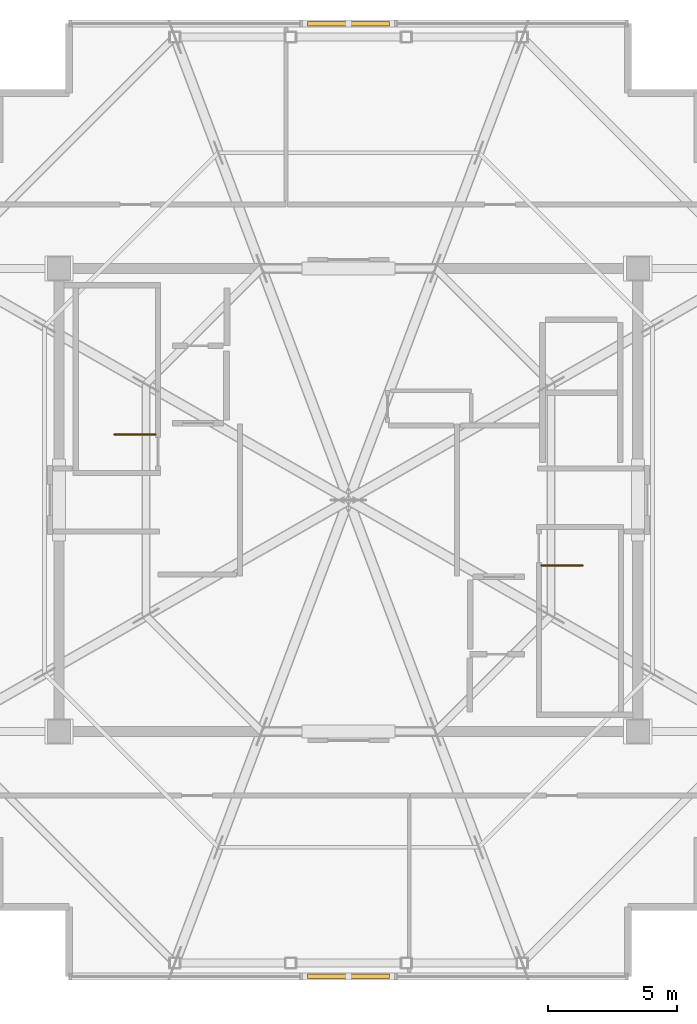
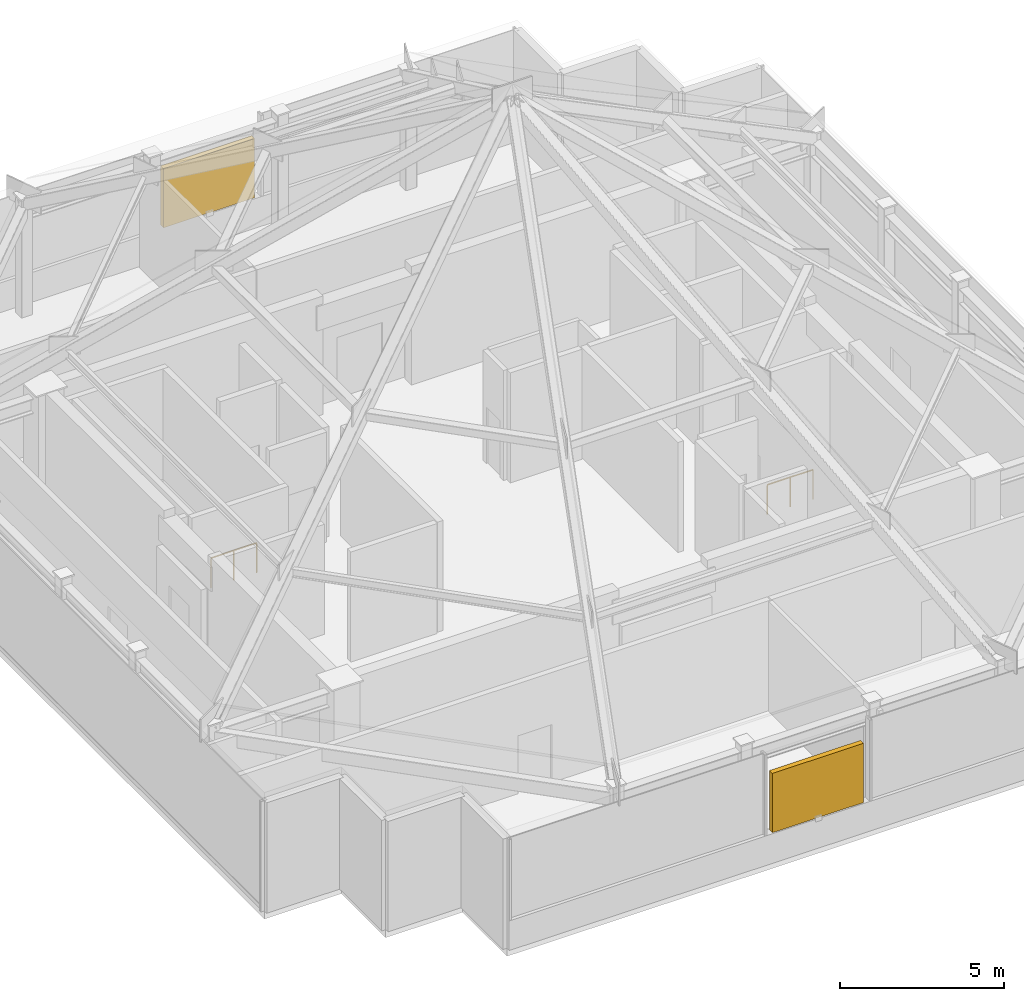
# One storey, part 17 of 17: 2 railings, 2 shading devices.
"""IFC4 building model written with IfcOpenShell, lengths in metres."""

from ifc_helpers import new_model, si_unit, direction, frame, origin, origin_2d, place, context, subcontext, project, spatial, rectangle, circle, extrude, source, transform, mapped, material, type_object, element, save


model = new_model("IFC4")

# Units and contexts
model_context = context("Model", 3, precision=1e-05, world=origin(), true_north=direction((0.0, 1.0)))
body_context = subcontext(model_context, "Body", "Model", "MODEL_VIEW")
ifc_project = project(units=[si_unit("LENGTHUNIT", "METRE"), si_unit("AREAUNIT", "SQUARE_METRE"), si_unit("VOLUMEUNIT", "CUBIC_METRE"), si_unit("PLANEANGLEUNIT", "RADIAN"), si_unit("MASSUNIT", "GRAM", prefix="KILO")], contexts=[model_context])

# Site, building, storey
site_placement = place(None, origin())
site = spatial("IfcSite", under=ifc_project, at=site_placement, CompositionType="ELEMENT")
building_placement = place(site_placement, origin())
building = spatial("IfcBuilding", under=site, at=building_placement, Name="Nefas-Gora Pilgrimage Tower", CompositionType="ELEMENT")
storey_placement = place(building_placement, frame((0.0, 0.0, 367.39990234375)))
storey = spatial("IfcBuildingStorey", under=building, at=storey_placement, Name="L92", CompositionType="ELEMENT", Elevation=367.39990234375)

# Railings
ifc_material_1 = material(Name="Painted galvanised steel", Category="steel")
railing_type = type_object("IfcRailingType", Name="RLG-STR-GUARD-1100", PredefinedType="GUARDRAIL", material=ifc_material_1)
railing_1_placement = place(storey_placement, frame((-7.5, 2.550048828125, 0.0)))
element("IfcRailing", 1, at=railing_1_placement, inside=storey, type_object=railing_type, Name="L92 ST-01 top well guard 1", PredefinedType="GUARDRAIL", context=body_context, shape_type="SweptSolid", body=[
    extrude(circle(Radius=0.02392578125, at=origin_2d()), frame((0.0, 0.0, 1.09619140625), z_axis=(-1.0, 0.0, 0.0), x_axis=(0.0, -1.0, 0.0)), (0.0, 0.0, 1.0), 1.60009765625),
    extrude(circle(Radius=0.02099609375, at=origin_2d()), origin(), (0.0, 0.0, 1.0), 1.072021484375),
    extrude(circle(Radius=0.02099609375, at=origin_2d()), frame((-0.800048828125, 0.0, 0.0)), (0.0, 0.0, 1.0), 1.072021484375),
    extrude(circle(Radius=0.02099609375, at=origin_2d()), frame((-1.60009765625, 0.0, 0.0)), (0.0, 0.0, 1.0), 1.072021484375),
])
railing_2_placement = place(storey_placement, frame((7.5, -2.550048828125, 0.0)))
element("IfcRailing", 2, at=railing_2_placement, inside=storey, type_object=railing_type, Name="L92 ST-02 top well guard 1", PredefinedType="GUARDRAIL", context=body_context, shape_type="SweptSolid", body=[
    extrude(circle(Radius=0.02392578125, at=origin_2d()), frame((0.0, 0.0, 1.09619140625), z_axis=(1.0, 0.0, 0.0), x_axis=(0.0, 1.0, 0.0)), (0.0, 0.0, 1.0), 1.60009765625),
    extrude(circle(Radius=0.02099609375, at=origin_2d()), origin(), (0.0, 0.0, 1.0), 1.072021484375),
    extrude(circle(Radius=0.02099609375, at=origin_2d()), frame((0.800048828125, 0.0, 0.0)), (0.0, 0.0, 1.0), 1.072021484375),
    extrude(circle(Radius=0.02099609375, at=origin_2d()), frame((1.60009765625, 0.0, 0.0)), (0.0, 0.0, 1.0), 1.072021484375),
])

# Shading devices
ifc_material_2 = material(Name="Dark-bronze anodised aluminium acoustic storm louvre", Category="aluminium")
shading_device_type_1 = type_object("IfcShadingDeviceType", Name="SHD-LOUVRE-JAL", PredefinedType="JALOUSIE", material=ifc_material_2)
shared_shape_1 = source(origin(), body_context, "Body", "SweptSolid", [
    extrude(rectangle(XDim=3.199951171875, YDim=0.179931640625, at=origin_2d()), origin(), (0.0, 0.0, 1.0), 2.199951171875),
])
shading_device_1_placement = place(storey_placement, frame((0.0, 18.52001953125, 1.10009765625), z_axis=(0.0, 0.0, 1.0), x_axis=(1.0, 0.0, 0.0)))
element("IfcShadingDevice", 3, at=shading_device_1_placement, inside=storey, type_object=shading_device_type_1, Name="L92 High-Altitude Storm Louvre Assembly 5", PredefinedType="JALOUSIE", context=body_context, shape_type="MappedRepresentation", body=[
    mapped(shared_shape_1, transform((0.0, 0.0, 0.0), x_axis=(1.0, 0.0, 0.0), y_axis=(0.0, 1.0, 0.0), z_axis=(0.0, 0.0, 1.0), scale=1.0)),
])
ifc_material_3 = material(Name="Perforated dark-bronze aluminium weather screen", Category="aluminium")
shading_device_type_2 = type_object("IfcShadingDeviceType", Name="SHD-SCREEN-SHUT", PredefinedType="SHUTTER", material=ifc_material_3)
shared_shape_2 = source(origin(), body_context, "Body", "SweptSolid", [
    extrude(rectangle(XDim=3.199951171875, YDim=0.179931640625, at=origin_2d()), origin(), (0.0, 0.0, 1.0), 2.199951171875),
])
shading_device_2_placement = place(storey_placement, frame((0.0, -18.52001953125, 1.10009765625), z_axis=(0.0, 0.0, 1.0), x_axis=(1.0, 0.0, 0.0)))
element("IfcShadingDevice", 4, at=shading_device_2_placement, inside=storey, type_object=shading_device_type_2, Name="L92 High-Altitude Storm Louvre Assembly 14", PredefinedType="SHUTTER", context=body_context, shape_type="MappedRepresentation", body=[
    mapped(shared_shape_2, transform((0.0, 0.0, 0.0), x_axis=(1.0, 0.0, 0.0), y_axis=(0.0, 1.0, 0.0), z_axis=(0.0, 0.0, 1.0), scale=1.0)),
])

save(model, "model.ifc")
